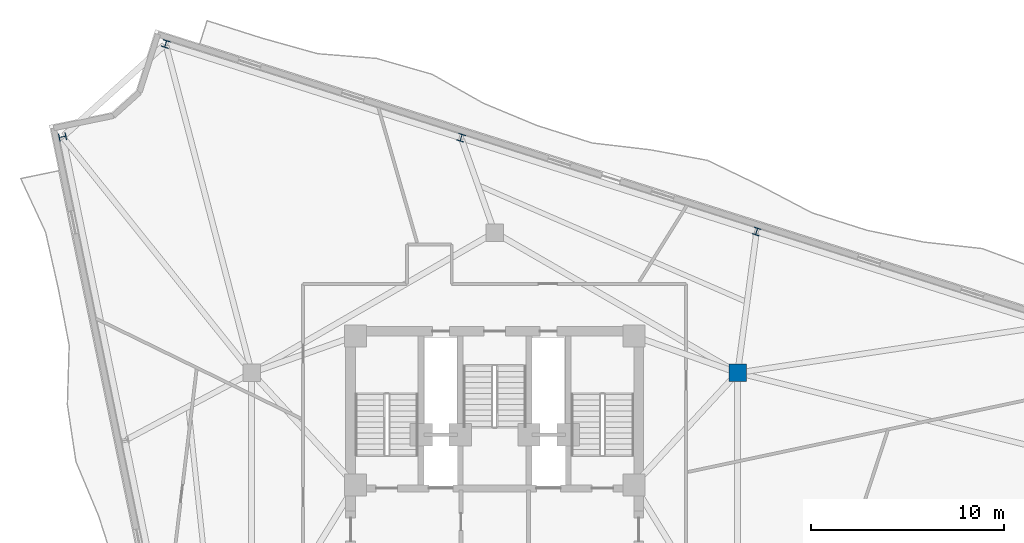
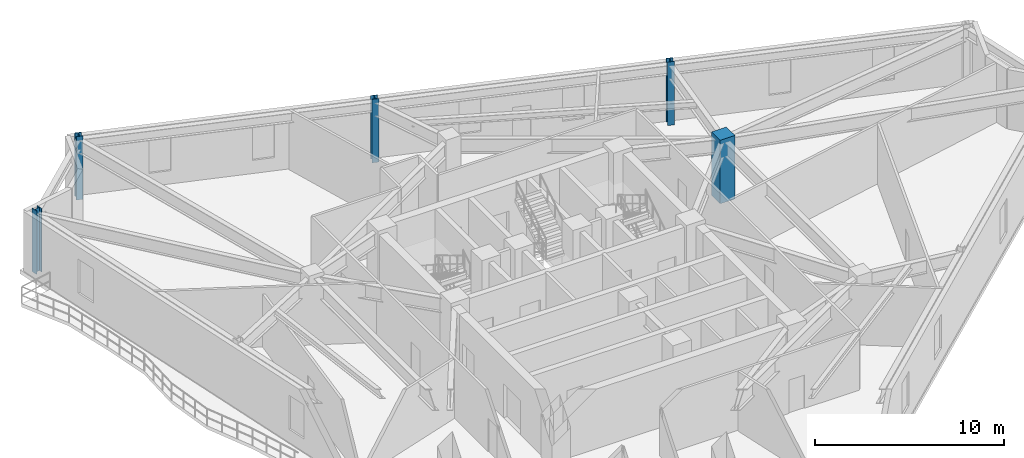
# One storey, part 2 of 11: 5 columns.
"""IFC4 building model written with IfcOpenShell, lengths in metres."""

from ifc_helpers import new_model, si_unit, direction, frame, origin, origin_2d, place, context, subcontext, project, spatial, rectangle, i_section, extrude, material, material_profile, profile_set, type_object, element, save


model = new_model("IFC4")

# Units and contexts
model_context = context("Model", 3, precision=1e-05, world=origin(), true_north=direction((0.0, 1.0)))
body_context = subcontext(model_context, "Body", "Model", "MODEL_VIEW")
ifc_project = project(units=[si_unit("LENGTHUNIT", "METRE"), si_unit("AREAUNIT", "SQUARE_METRE"), si_unit("VOLUMEUNIT", "CUBIC_METRE"), si_unit("PLANEANGLEUNIT", "RADIAN"), si_unit("MASSUNIT", "GRAM", prefix="KILO")], contexts=[model_context])

# Site, building, storey
site_placement = place(None, origin())
site = spatial("IfcSite", under=ifc_project, at=site_placement, CompositionType="ELEMENT")
building_placement = place(site_placement, origin())
building = spatial("IfcBuilding", under=site, at=building_placement, Name="Apsidion Concourse Tower", CompositionType="ELEMENT")
storey_placement = place(building_placement, frame((0.0, 0.0, 252.699951171875)))
storey = spatial("IfcBuildingStorey", under=building, at=storey_placement, Name="L59", CompositionType="ELEMENT", Elevation=252.699951171875)

# Columns
ifc_material_1 = material(Name="Concrete C50/60", Category="concrete")
ifc_material_profile_1 = material_profile(ifc_material_1, rectangle(XDim=0.89990234375, YDim=0.89990234375, at=origin_2d()), Name="RC 900x900")
ifc_profile_set_1 = profile_set([ifc_material_profile_1], Name="Concrete C50/60")
column_type_1 = type_object("IfcColumnType", Name="COL-RC-900", PredefinedType="COLUMN", material=ifc_profile_set_1)
column_placement = place(storey_placement, frame((12.56005859375, 7.25, 0.0), z_axis=(0.0, 0.0, 1.0), x_axis=(1.0, 0.0, 0.0)))
element("IfcColumn", 1, at=column_placement, inside=storey, type_object=column_type_1, Name="L59 Interior Spine Column IC3", PredefinedType="COLUMN", context=body_context, shape_type="SweptSolid", body=[
    extrude(rectangle(XDim=0.89990234375, YDim=0.89990234375, at=origin_2d()), origin(), (0.0, 0.0, 1.0), 4.10009765625),
])
ifc_material_2 = material(Name="Structural steel ASTM A992 Grade 50", Category="steel")
ifc_material_profile_2 = material_profile(ifc_material_2, i_section(OverallWidth=0.373046875, OverallDepth=0.373046875, WebThickness=0.016357421875, FlangeThickness=0.026123046875, at=origin_2d()), Name="W14X132")
ifc_profile_set_2 = profile_set([ifc_material_profile_2], Name="Structural steel ASTM A992 Grade 50")
column_type_2 = type_object("IfcColumnType", Name="COL-W14-132", PredefinedType="COLUMN", material=ifc_profile_set_2)
for number, where, z_axis, x_axis, name in (
    (2, (-22.337158203125, 19.44677734375, 0.0), (0.0, 0.0, 1.0), (-0.201248886216, 0.979540139962, 0.0), "L59 Rotated Perimeter Column PC01"),
    (3, (13.539306640625, 14.552978515625, 0.0), (0.0, 0.0, 1.0), (-0.953137879774, 0.3025362493, 0.0), "L59 Rotated Perimeter Column PC10"),
    (4, (-1.733154296875, 19.400390625, 0.0), (0.0, 0.0, 1.0), (-0.953137879774, 0.3025362493, 0.0), "L59 Rotated Perimeter Column PC11"),
    (5, (-17.00537109375, 24.24755859375, 0.0), (0.0, 0.0, 1.0), (-0.953137879774, 0.3025362493, 0.0), "L59 Rotated Perimeter Column PC12"),
):
    element("IfcColumn", number, at=place(storey_placement, frame(where, z_axis=z_axis, x_axis=x_axis)), inside=storey, type_object=column_type_2, Name=name, PredefinedType="COLUMN", context=body_context, shape_type="SweptSolid", body=[
        extrude(i_section(OverallWidth=0.373046875, OverallDepth=0.373046875, WebThickness=0.016357421875, FlangeThickness=0.026123046875, at=origin_2d()), origin(), (0.0, 0.0, 1.0), 4.10009765625),
    ])

save(model, "model.ifc")
